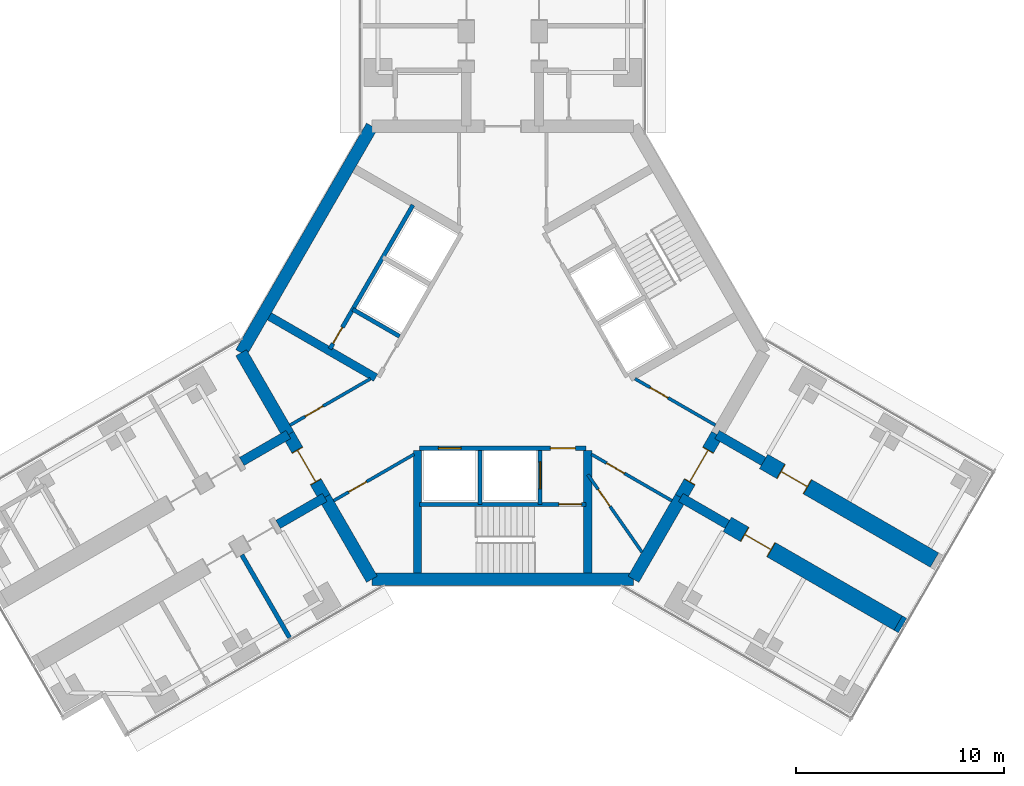
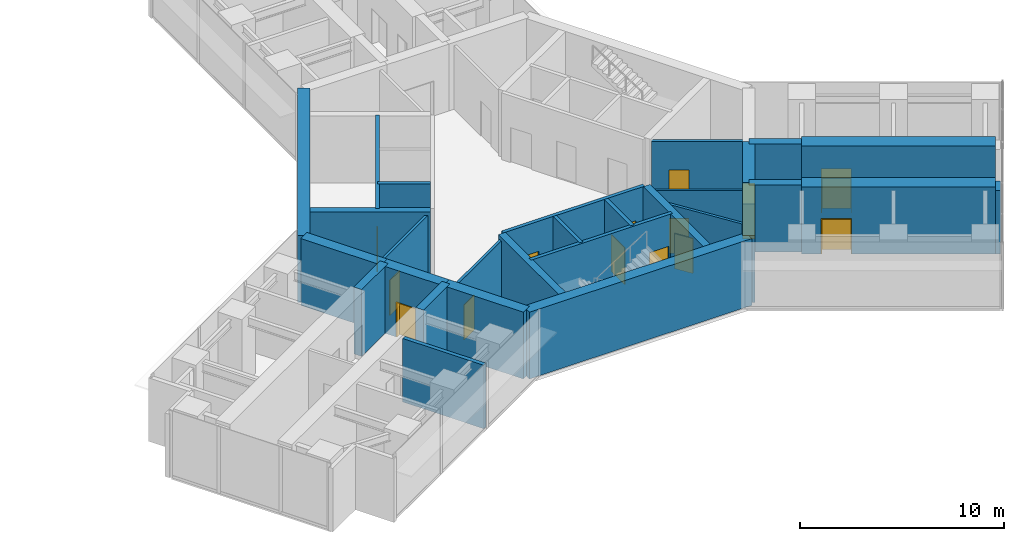
# One storey, part 18 of 21: 29 walls, 14 doors, 14 openings.
"""IFC4 building model written with IfcOpenShell, lengths in metres."""

from ifc_helpers import new_model, si_unit, direction, frame, frame_2d, origin, place, context, subcontext, project, spatial, rectangle, extrude, material, layer, layer_set, type_object, element, fill, save


model = new_model("IFC4")

# Units and contexts
model_context = context("Model", 3, precision=1e-05, world=origin(), true_north=direction((0.0, 1.0)))
body_context = subcontext(model_context, "Body", "Model", "MODEL_VIEW")
ifc_project = project(units=[si_unit("LENGTHUNIT", "METRE"), si_unit("AREAUNIT", "SQUARE_METRE"), si_unit("VOLUMEUNIT", "CUBIC_METRE"), si_unit("PLANEANGLEUNIT", "RADIAN"), si_unit("MASSUNIT", "GRAM", prefix="KILO")], contexts=[model_context])

# Site, building, storey
site_placement = place(None, origin())
site = spatial("IfcSite", under=ifc_project, at=site_placement, CompositionType="ELEMENT")
building_placement = place(site_placement, origin())
building = spatial("IfcBuilding", under=site, at=building_placement, Name="Upepo Twin Towers", CompositionType="ELEMENT")
storey_placement = place(building_placement, frame((0.0, 0.0, 113.5)))
storey = spatial("IfcBuildingStorey", under=building, at=storey_placement, Name="L27", CompositionType="ELEMENT", Elevation=113.5)

# Walls
ifc_material_1 = material(Name="Concrete blockwork, plastered both faces", Category="masonry")
ifc_layer_1 = layer(ifc_material_1, 0.215087890625)
ifc_layer_set_1 = layer_set([ifc_layer_1], Name="Blockwork partition 215")
wall_type_1 = type_object("IfcWallType", Name="Blockwork partition 215", PredefinedType="PARTITIONING", material=ifc_layer_set_1)
wall_1_placement = place(storey_placement, frame((45.93505859375, -27.737060546875, 0.0), z_axis=(0.0, 0.0, 1.0), x_axis=(0.500014953309, -0.866016770315, 0.0)))
element("IfcWall", 1, at=wall_1_placement, inside=storey, type_object=wall_type_1, Name="T2 partition BL at 15.75", PredefinedType="PARTITIONING", context=body_context, shape_type="SweptSolid", body=[
    extrude(rectangle(XDim=4.599853515625, YDim=0.215087890625, at=frame_2d((2.2998046875, 0.0))), origin(), (0.0, 0.0, 1.0), 3.800048828125),
])
ifc_material_2 = material(Name="Dense concrete blockwork", Category="masonry")
ifc_layer_2 = layer(ifc_material_2, 0.800048828125)
ifc_layer_set_2 = layer_set([ifc_layer_2], Name="Buttress closer 800, blockwork with fire-stopping to the curtain wall")
wall_type_2 = type_object("IfcWallType", Name="Buttress closer 800, blockwork with fire-stopping to the curtain wall", PredefinedType="PARTITIONING", material=ifc_layer_set_2)
wall_2_placement = place(storey_placement, frame((77.543701171875, -31.015625, 0.0), z_axis=(0.0, 0.0, 1.0), x_axis=(0.865827443207, -0.500342721131, 0.0)))
element("IfcWall", 2, at=wall_2_placement, inside=storey, type_object=wall_type_2, Name="T2 L27 wing C buttress closer R", PredefinedType="PARTITIONING", context=body_context, shape_type="SweptSolid", body=[
    extrude(rectangle(XDim=0.249755859375, YDim=0.800048828125, at=frame_2d((0.125, 0.0))), origin(), (0.0, 0.0, 1.0), 3.800048828125),
])
ifc_material_3 = material(Name="Concrete C60/75", Category="concrete")
ifc_layer_3 = layer(ifc_material_3, 0.449951171875)
ifc_layer_set_3 = layer_set([ifc_layer_3], Name="Concrete C60/75")
wall_type_3 = type_object("IfcWallType", Name="Buttress wall 450 RC", PredefinedType="SHEAR", material=ifc_layer_set_3)
for number, where, z_axis, x_axis, name in (
    (3, (49.92822265625, -24.9697265625, 0.0), (0.0, 0.0, 1.0), (-0.866031863473, -0.499988811324, 0.0), "T2 wing B buttress wall L"),
    (4, (48.17822265625, -21.938720703125, 0.0), (0.0, 0.0, 1.0), (-0.866072649678, -0.499918158782, 0.0), "T2 wing B buttress wall R"),
    (5, (68.82177734375, -21.938720703125, 0.0), (0.0, 0.0, 1.0), (0.866072649678, -0.499918158782, 0.0), "T2 wing C buttress wall L"),
    (6, (67.07177734375, -24.9697265625, 0.0), (0.0, 0.0, 1.0), (0.866031863473, -0.499988811324, 0.0), "T2 wing C buttress wall R"),
):
    element("IfcWall", number, at=place(storey_placement, frame(where, z_axis=z_axis, x_axis=x_axis)), inside=storey, type_object=wall_type_3, Name=name, PredefinedType="SHEAR", context=body_context, shape_type="SweptSolid", body=[
        extrude(rectangle(XDim=2.591796875, YDim=0.449951171875, at=frame_2d((1.2958984375, 0.0))), origin(), (0.0, 0.0, 1.0), 4.0),
    ])

# Wall, opening, door
ifc_material_4 = material(Name="Concrete C60/75", Category="concrete")
ifc_layer_4 = layer(ifc_material_4, 0.800048828125)
ifc_layer_set_4 = layer_set([ifc_layer_4], Name="Concrete C60/75")
wall_type_4 = type_object("IfcWallType", Name="Buttress wall 800 RC", PredefinedType="SHEAR", material=ifc_layer_set_4)
wall_3_placement = place(storey_placement, frame((71.06640625, -23.234375, 0.0), z_axis=(0.0, 0.0, 1.0), x_axis=(0.86602681393, -0.499997557548, 0.0)))
wall_3 = element("IfcWall", 7, at=wall_3_placement, inside=storey, type_object=wall_type_4, Name="T2 wing C buttress wall L part 2", PredefinedType="SHEAR", context=body_context, shape_type="SweptSolid", body=[
    extrude(rectangle(XDim=9.5, YDim=0.800048828125, at=frame_2d((4.75, 0.0))), origin(), (0.0, 0.0, 1.0), 4.0),
])
opening_1_placement = place(wall_3_placement, frame((0.949951171875, 0.0, 0.0)))
opening_1 = element("IfcOpeningElement", 8, at=opening_1_placement, cuts=wall_3, Name="Opening D13", PredefinedType="OPENING", context=body_context, shape_type="SweptSolid", body=[
    extrude(rectangle(XDim=1.5, YDim=2.10009765625, at=frame_2d((0.75, 1.050048828125))), frame((0.0, 0.409912109375, 0.0), z_axis=(0.0, -1.0, 0.0), x_axis=(1.0, 0.0, 0.0)), (0.0, 0.0, 1.0), 0.820068359375),
])
ifc_material_5 = material(Name="Timber doorset", Category="wood")
door_type_1 = type_object("IfcDoorType", Name="Double door 1500 FD30", OperationType="DOUBLE_DOOR_SINGLE_SWING", PredefinedType="DOOR", material=ifc_material_5)
door_1_placement = place(opening_1_placement, origin())
door_1 = element("IfcDoor", 9, at=door_1_placement, inside=storey, type_object=door_type_1, Name="T2 L27 tutorial room door", OperationType="DOUBLE_DOOR_SINGLE_SWING", OverallHeight=2.10009765625, OverallWidth=1.5, PredefinedType="DOOR", context=body_context, shape_type="SweptSolid", body=[
    extrude(rectangle(XDim=1.42, YDim=2.06009765625, at=frame_2d((0.75, 1.030029296875))), frame((0.0, 0.02490234375, 0.0), z_axis=(0.0, -1.0, 0.0), x_axis=(1.0, 0.0, 0.0)), (0.0, 0.0, 1.0), 0.050048828125),
    extrude(rectangle(XDim=0.04, YDim=2.10009765625, at=frame_2d((0.02001953125, 1.050048828125))), frame((0.0, 0.39990234375, 0.0), z_axis=(0.0, -1.0, 0.0), x_axis=(1.0, 0.0, 0.0)), (0.0, 0.0, 1.0), 0.799560546875),
    extrude(rectangle(XDim=0.04, YDim=2.10009765625, at=frame_2d((1.47998046875, 1.050048828125))), frame((0.0, 0.39990234375, 0.0), z_axis=(0.0, -1.0, 0.0), x_axis=(1.0, 0.0, 0.0)), (0.0, 0.0, 1.0), 0.799560546875),
    extrude(rectangle(XDim=1.42, YDim=0.04, at=frame_2d((0.75, 2.080078125))), frame((0.0, 0.39990234375, 0.0), z_axis=(0.0, -1.0, 0.0), x_axis=(1.0, 0.0, 0.0)), (0.0, 0.0, 1.0), 0.799560546875),
])
fill(opening_1, door_1)

wall_4_placement = place(storey_placement, frame((69.31640625, -26.265625, 0.0), z_axis=(0.0, 0.0, 1.0), x_axis=(0.86602681393, -0.499997557548, 0.0)))
wall_4 = element("IfcWall", 10, at=wall_4_placement, inside=storey, type_object=wall_type_4, Name="T2 wing C buttress wall R part 2", PredefinedType="SHEAR", context=body_context, shape_type="SweptSolid", body=[
    extrude(rectangle(XDim=9.5, YDim=0.800048828125, at=frame_2d((4.75, 0.0))), origin(), (0.0, 0.0, 1.0), 4.0),
])
opening_2_placement = place(wall_4_placement, frame((0.949951171875, 0.0, 0.0)))
opening_2 = element("IfcOpeningElement", 11, at=opening_2_placement, cuts=wall_4, Name="Opening D13", PredefinedType="OPENING", context=body_context, shape_type="SweptSolid", body=[
    extrude(rectangle(XDim=1.5, YDim=2.10009765625, at=frame_2d((0.75, 1.050048828125))), frame((0.0, 0.409912109375, 0.0), z_axis=(0.0, -1.0, 0.0), x_axis=(1.0, 0.0, 0.0)), (0.0, 0.0, 1.0), 0.820068359375),
])
door_2_placement = place(opening_2_placement, origin())
door_2 = element("IfcDoor", 12, at=door_2_placement, inside=storey, type_object=door_type_1, Name="T2 L27 tutorial room door", OperationType="DOUBLE_DOOR_SINGLE_SWING", OverallHeight=2.10009765625, OverallWidth=1.5, PredefinedType="DOOR", context=body_context, shape_type="SweptSolid", body=[
    extrude(rectangle(XDim=1.42, YDim=2.06009765625, at=frame_2d((0.75, 1.030029296875))), frame((0.0, 0.02490234375, 0.0), z_axis=(0.0, -1.0, 0.0), x_axis=(1.0, 0.0, 0.0)), (0.0, 0.0, 1.0), 0.050048828125),
    extrude(rectangle(XDim=0.04, YDim=2.10009765625, at=frame_2d((0.02001953125, 1.050048828125))), frame((0.0, 0.39990234375, 0.0), z_axis=(0.0, -1.0, 0.0), x_axis=(1.0, 0.0, 0.0)), (0.0, 0.0, 1.0), 0.799560546875),
    extrude(rectangle(XDim=0.04, YDim=2.10009765625, at=frame_2d((1.47998046875, 1.050048828125))), frame((0.0, 0.39990234375, 0.0), z_axis=(0.0, -1.0, 0.0), x_axis=(1.0, 0.0, 0.0)), (0.0, 0.0, 1.0), 0.799560546875),
    extrude(rectangle(XDim=1.42, YDim=0.04, at=frame_2d((0.75, 2.080078125))), frame((0.0, 0.39990234375, 0.0), z_axis=(0.0, -1.0, 0.0), x_axis=(1.0, 0.0, 0.0)), (0.0, 0.0, 1.0), 0.799560546875),
])
fill(opening_2, door_2)

# Walls
ifc_material_6 = material(Name="Concrete C60/75", Category="concrete")
ifc_layer_5 = layer(ifc_material_6, 0.60009765625)
ifc_layer_set_5 = layer_set([ifc_layer_5], Name="Concrete C60/75")
wall_type_5 = type_object("IfcWallType", Name="Core wall 600 RC", PredefinedType="SHEAR", material=ifc_layer_set_5)
wall_5_placement = place(storey_placement, frame((52.2021484375, -7.091552734375, 0.0), z_axis=(0.0, 0.0, 1.0), x_axis=(-0.500005998175, -0.866021940709, 0.0)))
element("IfcWall", 13, at=wall_5_placement, inside=storey, type_object=wall_type_5, Name="T2 core wall 060", PredefinedType="SHEAR", context=body_context, shape_type="SweptSolid", body=[
    extrude(rectangle(XDim=12.595947265625, YDim=0.60009765625, at=frame_2d((6.2978515625, 0.0))), origin(), (0.0, 0.0, 1.0), 4.0),
])
wall_6_placement = place(storey_placement, frame((45.904052734375, -18.0, 0.0), z_axis=(0.0, 0.0, 1.0), x_axis=(0.500024481964, -0.866011268655, 0.0)))
element("IfcWall", 14, at=wall_6_placement, inside=storey, type_object=wall_type_5, Name="T2 core wall 120 R", PredefinedType="SHEAR", context=body_context, shape_type="SweptSolid", body=[
    extrude(rectangle(XDim=4.548095703125, YDim=0.60009765625, at=frame_2d((2.27392578125, 0.0))), origin(), (0.0, 0.0, 1.0), 4.0),
])

# Wall, opening, door
wall_7_placement = place(storey_placement, frame((48.17822265625, -21.938720703125, 0.0), z_axis=(0.0, 0.0, 1.0), x_axis=(0.500010275428, -0.866019471182, 0.0)))
wall_7 = element("IfcWall", 15, at=wall_7_placement, inside=storey, type_object=wall_type_5, Name="T2 core wall 120", PredefinedType="SHEAR", context=body_context, shape_type="SweptSolid", body=[
    extrude(rectangle(XDim=3.5, YDim=0.60009765625, at=frame_2d((1.75, 0.0))), origin(), (0.0, 0.0, 1.0), 4.0),
])
opening_3_placement = place(wall_7_placement, frame((0.85009765625, 0.0, 0.0)))
opening_3 = element("IfcOpeningElement", 16, at=opening_3_placement, cuts=wall_7, Name="Opening D2", PredefinedType="OPENING", context=body_context, shape_type="SweptSolid", body=[
    extrude(rectangle(XDim=1.800048828125, YDim=2.10009765625, at=frame_2d((0.89990234375, 1.050048828125))), frame((0.0, 0.31005859375, 0.0), z_axis=(0.0, -1.0, 0.0), x_axis=(1.0, 0.0, 0.0)), (0.0, 0.0, 1.0), 0.6201171875),
])
ifc_material_7 = material(Name="Timber doorset", Category="wood")
door_type_2 = type_object("IfcDoorType", Name="Corridor double door 1800 FD60", OperationType="DOUBLE_DOOR_DOUBLE_SWING", PredefinedType="DOOR", material=ifc_material_7)
door_3_placement = place(opening_3_placement, origin())
door_3 = element("IfcDoor", 17, at=door_3_placement, inside=storey, type_object=door_type_2, Name="T2 L27 wing B corridor door", OperationType="DOUBLE_DOOR_DOUBLE_SWING", OverallHeight=2.10009765625, OverallWidth=1.800048828125, PredefinedType="DOOR", context=body_context, shape_type="SweptSolid", body=[
    extrude(rectangle(XDim=1.720048828125, YDim=2.06009765625, at=frame_2d((0.89990234375, 1.030029296875))), frame((0.0, 0.02490234375, 0.0), z_axis=(0.0, -1.0, 0.0), x_axis=(1.0, 0.0, 0.0)), (0.0, 0.0, 1.0), 0.050048828125),
    extrude(rectangle(XDim=0.04, YDim=2.10009765625, at=frame_2d((0.02001953125, 1.050048828125))), frame((0.0, 0.2998046875, 0.0), z_axis=(0.0, -1.0, 0.0), x_axis=(1.0, 0.0, 0.0)), (0.0, 0.0, 1.0), 0.599609375),
    extrude(rectangle(XDim=0.04, YDim=2.10009765625, at=frame_2d((1.780029296875, 1.050048828125))), frame((0.0, 0.2998046875, 0.0), z_axis=(0.0, -1.0, 0.0), x_axis=(1.0, 0.0, 0.0)), (0.0, 0.0, 1.0), 0.599609375),
    extrude(rectangle(XDim=1.720048828125, YDim=0.04, at=frame_2d((0.89990234375, 2.080078125))), frame((0.0, 0.2998046875, 0.0), z_axis=(0.0, -1.0, 0.0), x_axis=(1.0, 0.0, 0.0)), (0.0, 0.0, 1.0), 0.599609375),
])
fill(opening_3, door_3)

# Walls
wall_8_placement = place(storey_placement, frame((49.92822265625, -24.9697265625, 0.0), z_axis=(0.0, 0.0, 1.0), x_axis=(0.499984222037, -0.866034513004, 0.0)))
element("IfcWall", 18, at=wall_8_placement, inside=storey, type_object=wall_type_5, Name="T2 core wall 120 L", PredefinedType="SHEAR", context=body_context, shape_type="SweptSolid", body=[
    extrude(rectangle(XDim=4.548095703125, YDim=0.60009765625, at=frame_2d((2.27392578125, 0.0))), origin(), (0.0, 0.0, 1.0), 4.0),
])
wall_9_placement = place(storey_placement, frame((52.2021484375, -28.908447265625, 0.0), z_axis=(0.0, 0.0, 1.0), x_axis=(1.0, 0.0, 0.0)))
element("IfcWall", 19, at=wall_9_placement, inside=storey, type_object=wall_type_5, Name="T2 core wall 180", PredefinedType="SHEAR", context=body_context, shape_type="SweptSolid", body=[
    extrude(rectangle(XDim=12.595703125, YDim=0.60009765625, at=frame_2d((6.2978515625, 0.0))), origin(), (0.0, 0.0, 1.0), 4.0),
])
wall_10_placement = place(storey_placement, frame((64.7978515625, -28.908447265625, 0.0), z_axis=(0.0, 0.0, 1.0), x_axis=(0.499984222037, 0.866034513004, 0.0)))
element("IfcWall", 20, at=wall_10_placement, inside=storey, type_object=wall_type_5, Name="T2 core wall 240 R", PredefinedType="SHEAR", context=body_context, shape_type="SweptSolid", body=[
    extrude(rectangle(XDim=4.548095703125, YDim=0.60009765625, at=frame_2d((2.27392578125, 0.0))), origin(), (0.0, 0.0, 1.0), 4.0),
])

# Wall, opening, door
wall_11_placement = place(storey_placement, frame((67.07177734375, -24.9697265625, 0.0), z_axis=(0.0, 0.0, 1.0), x_axis=(0.500010275428, 0.866019471182, 0.0)))
wall_11 = element("IfcWall", 21, at=wall_11_placement, inside=storey, type_object=wall_type_5, Name="T2 core wall 240", PredefinedType="SHEAR", context=body_context, shape_type="SweptSolid", body=[
    extrude(rectangle(XDim=3.5, YDim=0.60009765625, at=frame_2d((1.75, 0.0))), origin(), (0.0, 0.0, 1.0), 4.0),
])
opening_4_placement = place(wall_11_placement, frame((0.85009765625, 0.0, 0.0)))
opening_4 = element("IfcOpeningElement", 22, at=opening_4_placement, cuts=wall_11, Name="Opening D2", PredefinedType="OPENING", context=body_context, shape_type="SweptSolid", body=[
    extrude(rectangle(XDim=1.800048828125, YDim=2.10009765625, at=frame_2d((0.89990234375, 1.050048828125))), frame((0.0, 0.31005859375, 0.0), z_axis=(0.0, -1.0, 0.0), x_axis=(1.0, 0.0, 0.0)), (0.0, 0.0, 1.0), 0.6201171875),
])
door_4_placement = place(opening_4_placement, origin())
door_4 = element("IfcDoor", 23, at=door_4_placement, inside=storey, type_object=door_type_2, Name="T2 L27 wing C corridor door", OperationType="DOUBLE_DOOR_DOUBLE_SWING", OverallHeight=2.10009765625, OverallWidth=1.800048828125, PredefinedType="DOOR", context=body_context, shape_type="SweptSolid", body=[
    extrude(rectangle(XDim=1.720048828125, YDim=2.06009765625, at=frame_2d((0.89990234375, 1.030029296875))), frame((0.0, 0.02490234375, 0.0), z_axis=(0.0, -1.0, 0.0), x_axis=(1.0, 0.0, 0.0)), (0.0, 0.0, 1.0), 0.050048828125),
    extrude(rectangle(XDim=0.04, YDim=2.10009765625, at=frame_2d((0.02001953125, 1.050048828125))), frame((0.0, 0.2998046875, 0.0), z_axis=(0.0, -1.0, 0.0), x_axis=(1.0, 0.0, 0.0)), (0.0, 0.0, 1.0), 0.599609375),
    extrude(rectangle(XDim=0.04, YDim=2.10009765625, at=frame_2d((1.780029296875, 1.050048828125))), frame((0.0, 0.2998046875, 0.0), z_axis=(0.0, -1.0, 0.0), x_axis=(1.0, 0.0, 0.0)), (0.0, 0.0, 1.0), 0.599609375),
    extrude(rectangle(XDim=1.720048828125, YDim=0.04, at=frame_2d((0.89990234375, 2.080078125))), frame((0.0, 0.2998046875, 0.0), z_axis=(0.0, -1.0, 0.0), x_axis=(1.0, 0.0, 0.0)), (0.0, 0.0, 1.0), 0.599609375),
])
fill(opening_4, door_4)

# Wall
ifc_material_8 = material(Name="Concrete C40/50", Category="concrete")
ifc_layer_6 = layer(ifc_material_8, 0.199951171875)
ifc_layer_set_6 = layer_set([ifc_layer_6], Name="Concrete C40/50")
wall_type_6 = type_object("IfcWallType", Name="Shaft wall 200 RC", PredefinedType="SHEAR", material=ifc_layer_set_6)
wall_12_placement = place(storey_placement, frame((53.52978515625, -17.208740234375, 0.0), z_axis=(0.0, 0.0, 1.0), x_axis=(-0.866062058628, 0.499936506574, 0.0)))
element("IfcWall", 24, at=wall_12_placement, inside=storey, type_object=wall_type_6, Name="T2 core W60 lobby wall", PredefinedType="SHEAR", context=body_context, shape_type="SweptSolid", body=[
    extrude(rectangle(XDim=2.599853515625, YDim=0.199951171875, at=frame_2d((1.2998046875, 0.0))), origin(), (0.0, 0.0, 1.0), 4.0),
])

# Wall, opening, door
wall_13_placement = place(storey_placement, frame((54.177978515625, -10.885986328125, 0.0), z_axis=(0.0, 0.0, 1.0), x_axis=(-0.49999894854, -0.866026010844, 0.0)))
wall_13 = element("IfcWall", 25, at=wall_13_placement, inside=storey, type_object=wall_type_6, Name="T2 core W60 stair wall", PredefinedType="SHEAR", context=body_context, shape_type="SweptSolid", body=[
    extrude(rectangle(XDim=8.0, YDim=0.199951171875, at=frame_2d((4.0, 0.0))), origin(), (0.0, 0.0, 1.0), 4.0),
])
opening_5_placement = place(wall_13_placement, frame((6.800048828125, 0.0, 0.0)))
opening_5 = element("IfcOpeningElement", 26, at=opening_5_placement, cuts=wall_13, Name="Opening D9", PredefinedType="OPENING", context=body_context, shape_type="SweptSolid", body=[
    extrude(rectangle(XDim=0.89990234375, YDim=2.10009765625, at=frame_2d((0.449951171875, 1.050048828125))), frame((0.0, 0.10986328125, 0.0), z_axis=(0.0, -1.0, 0.0), x_axis=(1.0, 0.0, 0.0)), (0.0, 0.0, 1.0), 0.219970703125),
])
ifc_material_9 = material(Name="Timber doorset", Category="wood")
door_type_3 = type_object("IfcDoorType", Name="Riser door 900 FD60", OperationType="SINGLE_SWING_LEFT", PredefinedType="DOOR", material=ifc_material_9)
door_5_placement = place(opening_5_placement, origin())
door_5 = element("IfcDoor", 27, at=door_5_placement, inside=storey, type_object=door_type_3, Name="T2 L27 riser door", OperationType="SINGLE_SWING_RIGHT", OverallHeight=2.10009765625, OverallWidth=0.89990234375, PredefinedType="DOOR", context=body_context, shape_type="SweptSolid", body=[
    extrude(rectangle(XDim=0.89990234375, YDim=2.10009765625, at=frame_2d((0.449951171875, 1.050048828125))), frame((0.0, 0.02490234375, 0.0), z_axis=(0.0, -1.0, 0.0), x_axis=(1.0, 0.0, 0.0)), (0.0, 0.0, 1.0), 0.050048828125),
])
fill(opening_5, door_5)

# Wall, openings, doors
wall_14_placement = place(storey_placement, frame((54.5, -22.60009765625, 0.0), z_axis=(0.0, 0.0, 1.0), x_axis=(1.0, 0.0, 0.0)))
wall_14 = element("IfcWall", 28, at=wall_14_placement, inside=storey, type_object=wall_type_6, Name="T2 core W180 front wall", PredefinedType="SHEAR", context=body_context, shape_type="SweptSolid", body=[
    extrude(rectangle(XDim=8.0, YDim=0.199951171875, at=frame_2d((4.0, 0.0))), origin(), (0.0, 0.0, 1.0), 4.0),
])
opening_6_placement = place(wall_14_placement, frame((6.300048828125, 0.0, 0.0)))
opening_6 = element("IfcOpeningElement", 29, at=opening_6_placement, cuts=wall_14, Name="Opening D4", PredefinedType="OPENING", context=body_context, shape_type="SweptSolid", body=[
    extrude(rectangle(XDim=1.199951171875, YDim=2.10009765625, at=frame_2d((0.60009765625, 1.050048828125))), frame((0.0, 0.10986328125, 0.0), z_axis=(0.0, -1.0, 0.0), x_axis=(1.0, 0.0, 0.0)), (0.0, 0.0, 1.0), 0.219970703125),
])
opening_7_placement = place(wall_14_placement, frame((0.89990234375, 0.0, 0.0)))
opening_7 = element("IfcOpeningElement", 30, at=opening_7_placement, cuts=wall_14, Name="Opening LD1", PredefinedType="OPENING", context=body_context, shape_type="SweptSolid", body=[
    extrude(rectangle(XDim=1.10009765625, YDim=2.199951171875, at=frame_2d((0.550048828125, 1.10009765625))), frame((0.0, 0.10986328125, 0.0), z_axis=(0.0, -1.0, 0.0), x_axis=(1.0, 0.0, 0.0)), (0.0, 0.0, 1.0), 0.219970703125),
])
ifc_material_10 = material(Name="Steel doorset", Category="steel")
door_type_4 = type_object("IfcDoorType", Name="Lift landing door 1100", OperationType="DOUBLE_DOOR_SLIDING", PredefinedType="DOOR", material=ifc_material_10)
door_6_placement = place(opening_7_placement, origin())
door_6 = element("IfcDoor", 31, at=door_6_placement, inside=storey, type_object=door_type_4, Name="T2 L27 lift SV1 landing door", OperationType="DOUBLE_DOOR_SLIDING", OverallHeight=2.199951171875, OverallWidth=1.10009765625, PredefinedType="DOOR", context=body_context, shape_type="SweptSolid", body=[
    extrude(rectangle(XDim=1.10009765625, YDim=2.199951171875, at=frame_2d((0.550048828125, 1.10009765625))), frame((0.0, 0.02490234375, 0.0), z_axis=(0.0, -1.0, 0.0), x_axis=(1.0, 0.0, 0.0)), (0.0, 0.0, 1.0), 0.050048828125),
])
fill(opening_7, door_6)
ifc_material_11 = material(Name="Timber doorset", Category="wood")
door_type_5 = type_object("IfcDoorType", Name="Lobby door 1200 FD60", OperationType="SINGLE_SWING_LEFT", PredefinedType="DOOR", material=ifc_material_11)
door_7_placement = place(opening_6_placement, origin())
door_7 = element("IfcDoor", 32, at=door_7_placement, inside=storey, type_object=door_type_5, Name="T2 L27 W180 lobby door", OperationType="SINGLE_SWING_RIGHT", OverallHeight=2.10009765625, OverallWidth=1.199951171875, PredefinedType="DOOR", context=body_context, shape_type="SweptSolid", body=[
    extrude(rectangle(XDim=1.199951171875, YDim=2.10009765625, at=frame_2d((0.60009765625, 1.050048828125))), frame((0.0, 0.02490234375, 0.0), z_axis=(0.0, -1.0, 0.0), x_axis=(1.0, 0.0, 0.0)), (0.0, 0.0, 1.0), 0.050048828125),
])
fill(opening_6, door_7)

# Wall
wall_15_placement = place(storey_placement, frame((57.39990234375, -22.699951171875, 0.0), z_axis=(0.0, 0.0, 1.0), x_axis=(0.0, -1.0, 0.0)))
element("IfcWall", 33, at=wall_15_placement, inside=storey, type_object=wall_type_6, Name="T2 core W180 shaft divider", PredefinedType="SHEAR", context=body_context, shape_type="SweptSolid", body=[
    extrude(rectangle(XDim=2.60009765625, YDim=0.199951171875, at=frame_2d((1.300048828125, 0.0))), origin(), (0.0, 0.0, 1.0), 4.0),
])

# Wall, opening, door
wall_16_placement = place(storey_placement, frame((60.300048828125, -22.699951171875, 0.0), z_axis=(0.0, 0.0, 1.0), x_axis=(0.0, -1.0, 0.0)))
wall_16 = element("IfcWall", 34, at=wall_16_placement, inside=storey, type_object=wall_type_6, Name="T2 core W180 lobby wall", PredefinedType="SHEAR", context=body_context, shape_type="SweptSolid", body=[
    extrude(rectangle(XDim=2.60009765625, YDim=0.199951171875, at=frame_2d((1.300048828125, 0.0))), origin(), (0.0, 0.0, 1.0), 4.0),
])
opening_8_placement = place(wall_16_placement, frame((0.550048828125, 0.0, 0.0)))
opening_8 = element("IfcOpeningElement", 35, at=opening_8_placement, cuts=wall_16, Name="Opening LD2", PredefinedType="OPENING", context=body_context, shape_type="SweptSolid", body=[
    extrude(rectangle(XDim=1.300048828125, YDim=2.199951171875, at=frame_2d((0.64990234375, 1.10009765625))), frame((0.0, 0.10986328125, 0.0), z_axis=(0.0, -1.0, 0.0), x_axis=(1.0, 0.0, 0.0)), (0.0, 0.0, 1.0), 0.219970703125),
])
ifc_material_12 = material(Name="Steel doorset", Category="steel")
door_type_6 = type_object("IfcDoorType", Name="Firefighting lift landing door 1300", OperationType="DOUBLE_DOOR_SLIDING", PredefinedType="DOOR", material=ifc_material_12)
door_8_placement = place(opening_8_placement, origin())
door_8 = element("IfcDoor", 36, at=door_8_placement, inside=storey, type_object=door_type_6, Name="T2 L27 firefighting lift landing door", OperationType="DOUBLE_DOOR_SLIDING", OverallHeight=2.199951171875, OverallWidth=1.300048828125, PredefinedType="DOOR", context=body_context, shape_type="SweptSolid", body=[
    extrude(rectangle(XDim=1.300048828125, YDim=2.199951171875, at=frame_2d((0.64990234375, 1.10009765625))), frame((0.0, 0.02490234375, 0.0), z_axis=(0.0, -1.0, 0.0), x_axis=(1.0, 0.0, 0.0)), (0.0, 0.0, 1.0), 0.050048828125),
])
fill(opening_8, door_8)

wall_17_placement = place(storey_placement, frame((54.5, -25.300048828125, 0.0), z_axis=(0.0, 0.0, 1.0), x_axis=(1.0, 0.0, 0.0)))
wall_17 = element("IfcWall", 37, at=wall_17_placement, inside=storey, type_object=wall_type_6, Name="T2 core W180 stair wall", PredefinedType="SHEAR", context=body_context, shape_type="SweptSolid", body=[
    extrude(rectangle(XDim=8.0, YDim=0.199951171875, at=frame_2d((4.0, 0.0))), origin(), (0.0, 0.0, 1.0), 4.0),
])
opening_9_placement = place(wall_17_placement, frame((6.699951171875, 0.0, 0.0)))
opening_9 = element("IfcOpeningElement", 38, at=opening_9_placement, cuts=wall_17, Name="Opening D3", PredefinedType="OPENING", context=body_context, shape_type="SweptSolid", body=[
    extrude(rectangle(XDim=1.10009765625, YDim=2.10009765625, at=frame_2d((0.550048828125, 1.050048828125))), frame((0.0, 0.10986328125, 0.0), z_axis=(0.0, -1.0, 0.0), x_axis=(1.0, 0.0, 0.0)), (0.0, 0.0, 1.0), 0.219970703125),
])
ifc_material_13 = material(Name="Timber doorset", Category="wood")
door_type_7 = type_object("IfcDoorType", Name="Stair door 1100 FD60", OperationType="SINGLE_SWING_LEFT", PredefinedType="DOOR", material=ifc_material_13)
door_9_placement = place(opening_9_placement, origin())
door_9 = element("IfcDoor", 39, at=door_9_placement, inside=storey, type_object=door_type_7, Name="T2 L27 stair door", OperationType="SINGLE_SWING_RIGHT", OverallHeight=2.10009765625, OverallWidth=1.10009765625, PredefinedType="DOOR", context=body_context, shape_type="SweptSolid", body=[
    extrude(rectangle(XDim=1.10009765625, YDim=2.10009765625, at=frame_2d((0.550048828125, 1.050048828125))), frame((0.0, 0.02490234375, 0.0), z_axis=(0.0, -1.0, 0.0), x_axis=(1.0, 0.0, 0.0)), (0.0, 0.0, 1.0), 0.050048828125),
])
fill(opening_9, door_9)

# Walls
ifc_material_14 = material(Name="Concrete C40/50", Category="concrete")
ifc_layer_7 = layer(ifc_material_14, 0.39990234375)
ifc_layer_set_7 = layer_set([ifc_layer_7], Name="Concrete C40/50")
wall_type_7 = type_object("IfcWallType", Name="Shaft wall 400 RC", PredefinedType="SHEAR", material=ifc_layer_set_7)
wall_18_placement = place(storey_placement, frame((52.379638671875, -19.20068359375, 0.0), z_axis=(0.0, 0.0, 1.0), x_axis=(-0.866027317282, 0.49999668571, 0.0)))
element("IfcWall", 40, at=wall_18_placement, inside=storey, type_object=wall_type_7, Name="T2 core W60 side wall N", PredefinedType="SHEAR", context=body_context, shape_type="SweptSolid", body=[
    extrude(rectangle(XDim=5.908203125, YDim=0.39990234375, at=frame_2d((2.9541015625, 0.0))), origin(), (0.0, 0.0, 1.0), 4.0),
])
for number, where, z_axis, x_axis, name in (
    (41, (62.60009765625, -22.699951171875, 0.0), (0.0, 0.0, 1.0), (0.0, -1.0, 0.0), "T2 core W180 side wall N"),
    (42, (54.39990234375, -22.699951171875, 0.0), (0.0, 0.0, 1.0), (0.0, -1.0, 0.0), "T2 core W180 side wall S"),
):
    element("IfcWall", number, at=place(storey_placement, frame(where, z_axis=z_axis, x_axis=x_axis)), inside=storey, type_object=wall_type_7, Name=name, PredefinedType="SHEAR", context=body_context, shape_type="SweptSolid", body=[
        extrude(rectangle(XDim=5.908447265625, YDim=0.39990234375, at=frame_2d((2.9541015625, 0.0))), origin(), (0.0, 0.0, 1.0), 4.0),
    ])

# Wall, opening, door
ifc_material_15 = material(Name="Gypsum board on steel studs", Category="steel")
ifc_layer_8 = layer(ifc_material_15, 0.14990234375)
ifc_layer_set_8 = layer_set([ifc_layer_8], Name="Teaching partition 150 acoustic")
wall_type_8 = type_object("IfcWallType", Name="Teaching partition 150 acoustic", PredefinedType="PARTITIONING", material=ifc_layer_set_8)
wall_19_placement = place(storey_placement, frame((48.25439453125, -21.490478515625, 0.0), z_axis=(0.0, 0.0, 1.0), x_axis=(0.866025707867, 0.499999473313, 0.0)))
wall_19 = element("IfcWall", 43, at=wall_19_placement, inside=storey, type_object=wall_type_8, Name="T2 core room partition 1", PredefinedType="PARTITIONING", context=body_context, shape_type="SweptSolid", body=[
    extrude(rectangle(XDim=4.4755859375, YDim=0.14990234375, at=frame_2d((2.23779296875, 0.0))), origin(), (0.0, 0.0, 1.0), 3.800048828125),
])
opening_10_placement = place(wall_19_placement, frame((0.8427734375, 0.0, 0.0)))
opening_10 = element("IfcOpeningElement", 44, at=opening_10_placement, cuts=wall_19, Name="Opening D1", PredefinedType="OPENING", context=body_context, shape_type="SweptSolid", body=[
    extrude(rectangle(XDim=1.0, YDim=2.10009765625, at=frame_2d((0.5, 1.050048828125))), frame((0.0, 0.0849609375, 0.0), z_axis=(0.0, -1.0, 0.0), x_axis=(1.0, 0.0, 0.0)), (0.0, 0.0, 1.0), 0.169921875),
])
ifc_material_16 = material(Name="Timber doorset", Category="wood")
door_type_8 = type_object("IfcDoorType", Name="Room door 1000 FD30", OperationType="SINGLE_SWING_LEFT", PredefinedType="DOOR", material=ifc_material_16)
door_10_placement = place(opening_10_placement, origin())
door_10 = element("IfcDoor", 45, at=door_10_placement, inside=storey, type_object=door_type_8, Name="T2 L27 core room door K1", OperationType="SINGLE_SWING_LEFT", OverallHeight=2.10009765625, OverallWidth=1.0, PredefinedType="DOOR", context=body_context, shape_type="SweptSolid", body=[
    extrude(rectangle(XDim=1.0, YDim=2.10009765625, at=frame_2d((0.5, 1.050048828125))), frame((0.0, 0.02490234375, 0.0), z_axis=(0.0, -1.0, 0.0), x_axis=(1.0, 0.0, 0.0)), (0.0, 0.0, 1.0), 0.050048828125),
])
fill(opening_10, door_10)

wall_20_placement = place(storey_placement, frame((64.86962890625, -19.252685546875, 0.0), z_axis=(0.0, 0.0, 1.0), x_axis=(0.866025707867, -0.499999473313, 0.0)))
wall_20 = element("IfcWall", 46, at=wall_20_placement, inside=storey, type_object=wall_type_8, Name="T2 core room partition 4", PredefinedType="PARTITIONING", context=body_context, shape_type="SweptSolid", body=[
    extrude(rectangle(XDim=4.4755859375, YDim=0.14990234375, at=frame_2d((2.23779296875, 0.0))), origin(), (0.0, 0.0, 1.0), 3.800048828125),
])
opening_11_placement = place(wall_20_placement, frame((0.8427734375, 0.0, 0.0)))
opening_11 = element("IfcOpeningElement", 47, at=opening_11_placement, cuts=wall_20, Name="Opening D1", PredefinedType="OPENING", context=body_context, shape_type="SweptSolid", body=[
    extrude(rectangle(XDim=1.0, YDim=2.10009765625, at=frame_2d((0.5, 1.050048828125))), frame((0.0, 0.0849609375, 0.0), z_axis=(0.0, -1.0, 0.0), x_axis=(1.0, 0.0, 0.0)), (0.0, 0.0, 1.0), 0.169921875),
])
door_11_placement = place(opening_11_placement, origin())
door_11 = element("IfcDoor", 48, at=door_11_placement, inside=storey, type_object=door_type_8, Name="T2 L27 core room door K5", OperationType="SINGLE_SWING_LEFT", OverallHeight=2.10009765625, OverallWidth=1.0, PredefinedType="DOOR", context=body_context, shape_type="SweptSolid", body=[
    extrude(rectangle(XDim=1.0, YDim=2.10009765625, at=frame_2d((0.5, 1.050048828125))), frame((0.0, 0.02490234375, 0.0), z_axis=(0.0, -1.0, 0.0), x_axis=(1.0, 0.0, 0.0)), (0.0, 0.0, 1.0), 0.050048828125),
])
fill(opening_11, door_11)

wall_21_placement = place(storey_placement, frame((66.645751953125, -25.127685546875, 0.0), z_axis=(0.0, 0.0, 1.0), x_axis=(-0.866025707867, 0.499999473313, 0.0)))
wall_21 = element("IfcWall", 49, at=wall_21_placement, inside=storey, type_object=wall_type_8, Name="T2 core room partition 5", PredefinedType="PARTITIONING", context=body_context, shape_type="SweptSolid", body=[
    extrude(rectangle(XDim=4.4755859375, YDim=0.14990234375, at=frame_2d((2.23779296875, 0.0))), origin(), (0.0, 0.0, 1.0), 3.800048828125),
])
opening_12_placement = place(wall_21_placement, frame((2.633056640625, 0.0, 0.0)))
opening_12 = element("IfcOpeningElement", 50, at=opening_12_placement, cuts=wall_21, Name="Opening D1", PredefinedType="OPENING", context=body_context, shape_type="SweptSolid", body=[
    extrude(rectangle(XDim=1.0, YDim=2.10009765625, at=frame_2d((0.5, 1.050048828125))), frame((0.0, 0.0849609375, 0.0), z_axis=(0.0, -1.0, 0.0), x_axis=(1.0, 0.0, 0.0)), (0.0, 0.0, 1.0), 0.169921875),
])
door_12_placement = place(opening_12_placement, origin())
door_12 = element("IfcDoor", 51, at=door_12_placement, inside=storey, type_object=door_type_8, Name="T2 L27 core room door K4", OperationType="SINGLE_SWING_RIGHT", OverallHeight=2.10009765625, OverallWidth=1.0, PredefinedType="DOOR", context=body_context, shape_type="SweptSolid", body=[
    extrude(rectangle(XDim=1.0, YDim=2.10009765625, at=frame_2d((0.5, 1.050048828125))), frame((0.0, 0.02490234375, 0.0), z_axis=(0.0, -1.0, 0.0), x_axis=(1.0, 0.0, 0.0)), (0.0, 0.0, 1.0), 0.050048828125),
])
fill(opening_12, door_12)

wall_22_placement = place(storey_placement, frame((54.230224609375, -22.889892578125, 0.0), z_axis=(0.0, 0.0, 1.0), x_axis=(-0.866025707867, -0.499999473313, 0.0)))
wall_22 = element("IfcWall", 52, at=wall_22_placement, inside=storey, type_object=wall_type_8, Name="T2 core room partition 6", PredefinedType="PARTITIONING", context=body_context, shape_type="SweptSolid", body=[
    extrude(rectangle(XDim=4.4755859375, YDim=0.14990234375, at=frame_2d((2.23779296875, 0.0))), origin(), (0.0, 0.0, 1.0), 3.800048828125),
])
opening_13_placement = place(wall_22_placement, frame((2.633056640625, 0.0, 0.0)))
opening_13 = element("IfcOpeningElement", 53, at=opening_13_placement, cuts=wall_22, Name="Opening D1", PredefinedType="OPENING", context=body_context, shape_type="SweptSolid", body=[
    extrude(rectangle(XDim=1.0, YDim=2.10009765625, at=frame_2d((0.5, 1.050048828125))), frame((0.0, 0.0849609375, 0.0), z_axis=(0.0, -1.0, 0.0), x_axis=(1.0, 0.0, 0.0)), (0.0, 0.0, 1.0), 0.169921875),
])
door_13_placement = place(opening_13_placement, origin())
door_13 = element("IfcDoor", 54, at=door_13_placement, inside=storey, type_object=door_type_8, Name="T2 L27 core room door K2", OperationType="SINGLE_SWING_RIGHT", OverallHeight=2.10009765625, OverallWidth=1.0, PredefinedType="DOOR", context=body_context, shape_type="SweptSolid", body=[
    extrude(rectangle(XDim=1.0, YDim=2.10009765625, at=frame_2d((0.5, 1.050048828125))), frame((0.0, 0.02490234375, 0.0), z_axis=(0.0, -1.0, 0.0), x_axis=(1.0, 0.0, 0.0)), (0.0, 0.0, 1.0), 0.050048828125),
])
fill(opening_13, door_13)

wall_23_placement = place(storey_placement, frame((62.60009765625, -23.869384765625, 0.0), z_axis=(0.0, 0.0, 1.0), x_axis=(0.572666465836, -0.819788459852, 0.0)))
wall_23 = element("IfcWall", 55, at=wall_23_placement, inside=storey, type_object=wall_type_8, Name="T2 core room partition 7", PredefinedType="PARTITIONING", context=body_context, shape_type="SweptSolid", body=[
    extrude(rectangle(XDim=4.551513671875, YDim=0.14990234375, at=frame_2d((2.27587890625, 0.0))), origin(), (0.0, 0.0, 1.0), 3.800048828125),
])
opening_14_placement = place(wall_23_placement, frame((0.865478515625, 0.0, 0.0)))
opening_14 = element("IfcOpeningElement", 56, at=opening_14_placement, cuts=wall_23, Name="Opening D1", PredefinedType="OPENING", context=body_context, shape_type="SweptSolid", body=[
    extrude(rectangle(XDim=1.0, YDim=2.10009765625, at=frame_2d((0.5, 1.050048828125))), frame((0.0, 0.0849609375, 0.0), z_axis=(0.0, -1.0, 0.0), x_axis=(1.0, 0.0, 0.0)), (0.0, 0.0, 1.0), 0.169921875),
])
door_14_placement = place(opening_14_placement, origin())
door_14 = element("IfcDoor", 57, at=door_14_placement, inside=storey, type_object=door_type_8, Name="T2 L27 core room door K3", OperationType="SINGLE_SWING_LEFT", OverallHeight=2.10009765625, OverallWidth=1.0, PredefinedType="DOOR", context=body_context, shape_type="SweptSolid", body=[
    extrude(rectangle(XDim=1.0, YDim=2.10009765625, at=frame_2d((0.5, 1.050048828125))), frame((0.0, 0.02490234375, 0.0), z_axis=(0.0, -1.0, 0.0), x_axis=(1.0, 0.0, 0.0)), (0.0, 0.0, 1.0), 0.050048828125),
])
fill(opening_14, door_14)

save(model, "model.ifc")
